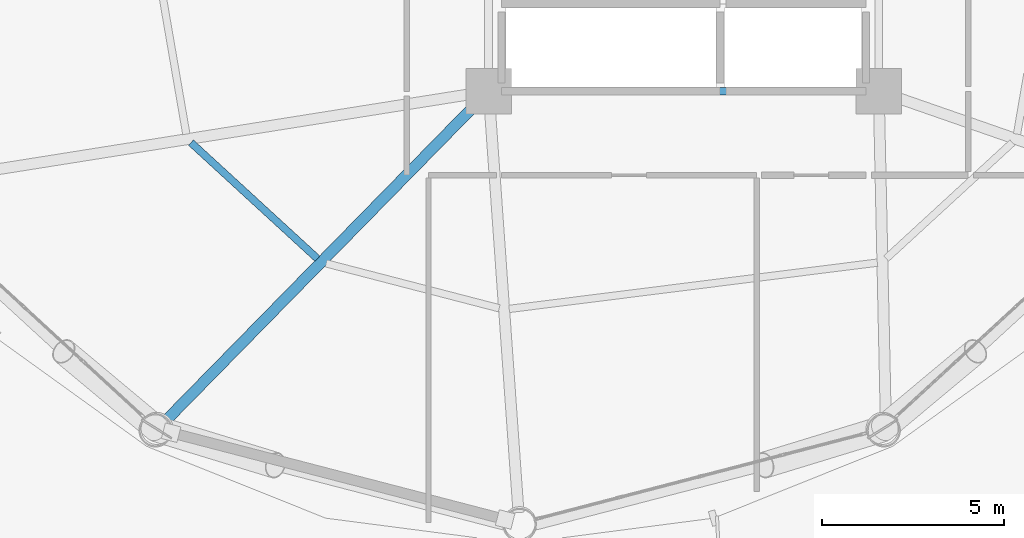
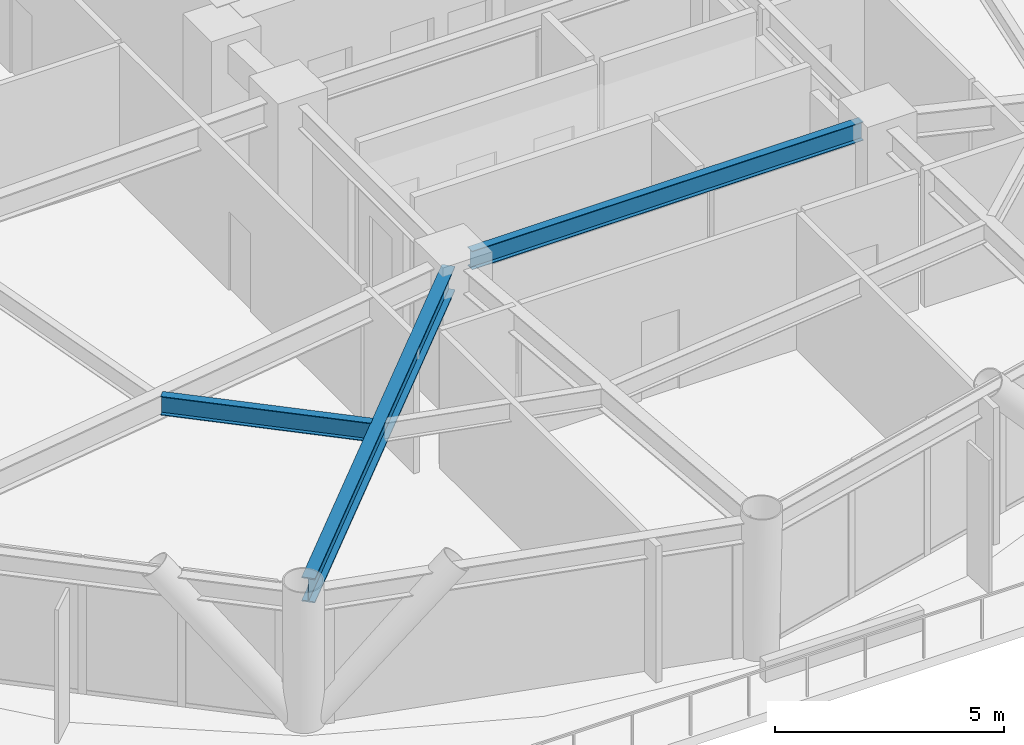
# One storey, part 6 of 24: 3 beams.
"""IFC4 building model written with IfcOpenShell, lengths in metres."""

import ifcopenshell
import ifcopenshell.guid

model = None  # the IFC model being written
_history = None  # IfcOwnerHistory: only IFC2X3 demands one
_inside = {}  # id of a spatial element -> (the spatial element, [elements in it])
_under = {}  # id of a project, library or spatial element -> (it, [spatial elements below it])
_declared = {}  # id of a project -> (the project, [libraries it declares])
_typed = {}  # id of a type object -> (the type object, [elements of that type])
_made_of = {}  # id of a material, layer set ... -> (it, [elements and type objects made of it])


def new_model(schema):
    """Start an empty IFC model of exactly this schema.

    Asked for "IFC4X3", IfcOpenShell would pick the latest addendum, in which some entities
    have other attributes; the version numbers below select the first issue.
    IFC2X3 requires an IfcOwnerHistory on every rooted entity: one is made here for all.
    """
    global model, _history
    if schema == "IFC4X3":
        model = ifcopenshell.file(schema_version=(4, 3, 0, 0))
    else:
        model = ifcopenshell.file(schema=schema)
    _inside.clear()
    _under.clear()
    _declared.clear()
    _typed.clear()
    _made_of.clear()
    _history = None
    if model.schema == "IFC2X3":
        org = make("IfcOrganization", Name="unknown")
        user = make(
            "IfcPersonAndOrganization",
            ThePerson=make("IfcPerson", FamilyName="unknown"),
            TheOrganization=org,
        )
        app = make(
            "IfcApplication",
            ApplicationDeveloper=org,
            Version="unknown",
            ApplicationFullName="unknown",
            ApplicationIdentifier="unknown",
        )
        _history = make(
            "IfcOwnerHistory",
            OwningUser=user,
            OwningApplication=app,
            ChangeAction="ADDED",
            CreationDate=0,
        )
    return model


def make(cls, **values):
    """One entity of the class cls with the attributes given. An attribute that is None is left unset."""
    return model.create_entity(
        cls, **{name: value for name, value in values.items() if value is not None}
    )


def rooted(cls, **values):
    """An entity with a GlobalId (a new one), such as an element, a storey or a relation."""
    return make(cls, GlobalId=ifcopenshell.guid.new(), OwnerHistory=_history, **values)


def si_unit(unit_type, name, prefix=None):
    """IfcSIUnit, for example si_unit("LENGTHUNIT", "METRE", prefix="MILLI")."""
    return make("IfcSIUnit", UnitType=unit_type, Prefix=prefix, Name=name)


def assignment(units):
    """IfcUnitAssignment: the units of a project."""
    return None if units is None else make("IfcUnitAssignment", Units=units)


def point(xyz):
    """IfcCartesianPoint."""
    return None if xyz is None else make("IfcCartesianPoint", Coordinates=xyz)


def direction(xyz):
    """IfcDirection."""
    return None if xyz is None else make("IfcDirection", DirectionRatios=xyz)


def frame(location, z_axis=None, x_axis=None):
    """IfcAxis2Placement3D, a coordinate frame: its origin and axes. An axis left out is left unset."""
    return make(
        "IfcAxis2Placement3D",
        Location=point(location),
        Axis=direction(z_axis),
        RefDirection=direction(x_axis),
    )


def frame_2d(location, x_axis=None):
    """IfcAxis2Placement2D, a coordinate frame in the plane: its origin and x axis."""
    return make(
        "IfcAxis2Placement2D", Location=point(location), RefDirection=direction(x_axis)
    )


def origin():
    """The frame at (0, 0, 0) with its axes left unset."""
    return frame((0.0, 0.0, 0.0))


def origin_2d():
    """The frame at (0, 0) in the plane with its x axis left unset."""
    return frame_2d((0.0, 0.0))


def place(relative_to, where):
    """IfcLocalPlacement: puts the frame where relative to a parent placement (None: the world)."""
    return make(
        "IfcLocalPlacement", PlacementRelTo=relative_to, RelativePlacement=where
    )


def context(
    kind, dimensions, precision=None, world=None, true_north=None, identifier=None
):
    """IfcGeometricRepresentationContext, for example the 3D "Model" context."""
    return make(
        "IfcGeometricRepresentationContext",
        ContextIdentifier=identifier,
        ContextType=kind,
        CoordinateSpaceDimension=dimensions,
        Precision=precision,
        WorldCoordinateSystem=world,
        TrueNorth=true_north,
    )


def subcontext(parent, identifier, kind, view, scale=None):
    """IfcGeometricRepresentationSubContext, for example "Body" below "Model"."""
    return make(
        "IfcGeometricRepresentationSubContext",
        ContextIdentifier=identifier,
        ContextType=kind,
        ParentContext=parent,
        TargetScale=scale,
        TargetView=view,
    )


def project(units=None, contexts=None):
    """IfcProject with its units and contexts."""
    return rooted(
        "IfcProject",
        Name="project",
        RepresentationContexts=contexts,
        UnitsInContext=assignment(units),
    )


def spatial(cls, under=None, at=None, **own):
    """A site, building, storey or space (cls), placed at a placement, below another one or the project."""
    s = rooted(cls, ObjectPlacement=at, **own)
    if under is not None:
        _under.setdefault(under.id(), (under, []))[1].append(s)
    return s


def profile(cls, at=None, kind="AREA", **sizes):
    """A parametric profile (cls). Its sizes go by their IFC names, for example OverallWidth=200.0."""
    return make(cls, ProfileType=kind, Position=at, **sizes)


def i_section(**sizes):
    """IfcIShapeProfileDef."""
    return profile("IfcIShapeProfileDef", **sizes)


def extrude(swept, where, along, depth):
    """IfcExtrudedAreaSolid: the profile swept, set in the frame where, extruded along a direction by depth."""
    return make(
        "IfcExtrudedAreaSolid",
        SweptArea=swept,
        Position=where,
        ExtrudedDirection=direction(along),
        Depth=depth,
    )


def shape(context_of_items, identifier, shape_type, items):
    """IfcShapeRepresentation: the items that make up one representation, for example the "Body"."""
    return make(
        "IfcShapeRepresentation",
        ContextOfItems=context_of_items,
        RepresentationIdentifier=identifier,
        RepresentationType=shape_type,
        Items=items,
    )


def material(Name=None, Category=None):
    """IfcMaterial."""
    return make("IfcMaterial", Name=Name, Category=Category)


def material_profile(
    of_material, cross_section, Name=None, Category=None, Priority=None
):
    """IfcMaterialProfile: a cross section and its material."""
    return make(
        "IfcMaterialProfile",
        Name=Name,
        Material=of_material,
        Profile=cross_section,
        Priority=Priority,
        Category=Category,
    )


def profile_set(profiles, Name=None, composite=None):
    """IfcMaterialProfileSet."""
    return make(
        "IfcMaterialProfileSet",
        Name=Name,
        MaterialProfiles=profiles,
        CompositeProfile=composite,
    )


def made_of(thing, what):
    """Note that an element or type object is made of a material, layer set ...; save() writes the relation."""
    if what is not None:
        _made_of.setdefault(what.id(), (what, []))[1].append(thing)
    return thing


def type_object(cls, material=None, **own):
    """A type object (cls), such as IfcWallType, which elements share."""
    return made_of(rooted(cls, **own), material)


def element(
    cls,
    number,
    at=None,
    inside=None,
    cuts=None,
    type_object=None,
    material=None,
    context=None,
    identifier="Body",
    shape_type=None,
    held_by="IfcProductDefinitionShape",
    body=None,
    shapes=None,
    **own,
):
    """One element of the class cls, such as IfcWall. Its Tag is "e" and its number.

    at: its placement. inside: the storey or other place that contains it. cuts: it is an
    opening in that element (IfcRelVoidsElement). A single representation is given by context,
    identifier, shape_type and body (its items); several are given by shapes. held_by: the class
    of the entity that holds the representations. save() writes the other relations.
    """
    e = rooted(cls, Tag="e%d" % number, ObjectPlacement=at, **own)
    if body is not None:
        shapes = [shape(context, identifier, shape_type, body)]
    if shapes is not None:
        e.Representation = make(held_by, Representations=shapes)
    if inside is not None:
        _inside.setdefault(inside.id(), (inside, []))[1].append(e)
    if cuts is not None:
        rooted(
            "IfcRelVoidsElement", RelatingBuildingElement=cuts, RelatedOpeningElement=e
        )
    if type_object is not None:
        _typed.setdefault(type_object.id(), (type_object, []))[1].append(e)
    return made_of(e, material)


def aggregate(whole, parts):
    """IfcRelAggregates: a whole, such as a stair, and the parts it consists of."""
    return rooted("IfcRelAggregates", RelatingObject=whole, RelatedObjects=parts)


def save(model, path):
    """Write the relations noted so far, then the file.

    IfcRelAggregates (storeys below a building ...), IfcRelContainedInSpatialStructure (elements
    in a storey), IfcRelDefinesByType, IfcRelAssociatesMaterial and IfcRelDeclares: one each for
    every whole, place, type object, material and project.
    """
    for whole, parts in _under.values():
        aggregate(whole, parts)
    for where, things in _inside.values():
        rooted(
            "IfcRelContainedInSpatialStructure",
            RelatedElements=things,
            RelatingStructure=where,
        )
    for kind, things in _typed.values():
        rooted("IfcRelDefinesByType", RelatedObjects=things, RelatingType=kind)
    for what, things in _made_of.values():
        rooted("IfcRelAssociatesMaterial", RelatedObjects=things, RelatingMaterial=what)
    for by, libraries in _declared.values():
        rooted("IfcRelDeclares", RelatingContext=by, RelatedDefinitions=libraries)
    model.write(path)


model = new_model("IFC4")

# Units and contexts
model_context = context("Model", 3, precision=1e-05, world=origin(), true_north=direction((0.0, 1.0)))
body_context = subcontext(model_context, "Body", "Model", "MODEL_VIEW")
ifc_project = project(units=[si_unit("LENGTHUNIT", "METRE"), si_unit("AREAUNIT", "SQUARE_METRE"), si_unit("VOLUMEUNIT", "CUBIC_METRE"), si_unit("PLANEANGLEUNIT", "RADIAN"), si_unit("MASSUNIT", "GRAM", prefix="KILO")], contexts=[model_context])

# Site, building, storey
site_placement = place(None, origin())
site = spatial("IfcSite", under=ifc_project, at=site_placement, CompositionType="ELEMENT")
building_placement = place(site_placement, origin())
building = spatial("IfcBuilding", under=site, at=building_placement, Name="Varnakorn Sky Granary", CompositionType="ELEMENT")
storey_placement = place(building_placement, frame((0.0, 0.0, 27.60009765625)))
storey = spatial("IfcBuildingStorey", under=building, at=storey_placement, Name="L06", CompositionType="ELEMENT", Elevation=27.60009765625)

# Beams
ifc_material = material(Name="Steel S355JR", Category="steel")
ifc_material_profile_1 = material_profile(ifc_material, i_section(OverallWidth=0.300048828125, OverallDepth=0.64990234375, WebThickness=0.01611328125, FlangeThickness=0.031005859375, at=origin_2d()), Name="HE 650 B")
ifc_profile_set_1 = profile_set([ifc_material_profile_1], Name="Steel S355JR")
beam_type_1 = type_object("IfcBeamType", Name="BM-RAD-Z1", PredefinedType="BEAM", material=ifc_profile_set_1)
beam_1_placement = place(storey_placement, frame((-2.64404296875, -6.89990234375, 3.31494140625), z_axis=(-0.699985559288, -0.714156997297, 0.0), x_axis=(0.714156997297, -0.699985559288, 0.0)))
element("IfcBeam", 1, at=beam_1_placement, inside=storey, type_object=beam_type_1, Name="Radial Floor Girder RG09 L06", PredefinedType="BEAM", context=body_context, shape_type="SweptSolid", body=[
    extrude(i_section(OverallWidth=0.300048828125, OverallDepth=0.64990234375, WebThickness=0.01611328125, FlangeThickness=0.031005859375, at=origin_2d()), origin(), (0.0, 0.0, 1.0), 12.283203125),
])
ifc_material_profile_2 = material_profile(ifc_material, i_section(OverallWidth=0.199951171875, OverallDepth=0.5, WebThickness=0.01025390625, FlangeThickness=0.01611328125, at=origin_2d()), Name="IPE 500")
ifc_profile_set_2 = profile_set([ifc_material_profile_2], Name="Steel S355JR")
beam_type_2 = type_object("IfcBeamType", Name="BM-SEC-Z1", PredefinedType="BEAM", material=ifc_profile_set_2)
beam_2_placement = place(storey_placement, frame((-10.515869140625, -8.00830078125, 3.389892578125), z_axis=(0.736887203762, -0.676015716483, 0.0), x_axis=(0.676015716483, 0.736887203762, 0.0)))
element("IfcBeam", 2, at=beam_2_placement, inside=storey, type_object=beam_type_2, Name="Secondary Floor Chord Beam MSB08 L06", PredefinedType="BEAM", context=body_context, shape_type="SweptSolid", body=[
    extrude(i_section(OverallWidth=0.199951171875, OverallDepth=0.5, WebThickness=0.01025390625, FlangeThickness=0.01611328125, at=origin_2d()), origin(), (0.0, 0.0, 1.0), 4.708740234375),
])
beam_3_placement = place(storey_placement, frame((-1.929931640625, -6.60009765625, 3.389892578125), z_axis=(1.0, 0.0, 0.0), x_axis=(0.0, 1.0, 0.0)))
element("IfcBeam", 3, at=beam_3_placement, inside=storey, type_object=beam_type_2, Name="Core Spine Framing Beam 6 L06", PredefinedType="BEAM", context=body_context, shape_type="SweptSolid", body=[
    extrude(i_section(OverallWidth=0.199951171875, OverallDepth=0.5, WebThickness=0.01025390625, FlangeThickness=0.01611328125, at=origin_2d()), origin(), (0.0, 0.0, 1.0), 9.85986328125),
])

save(model, "model.ifc")
